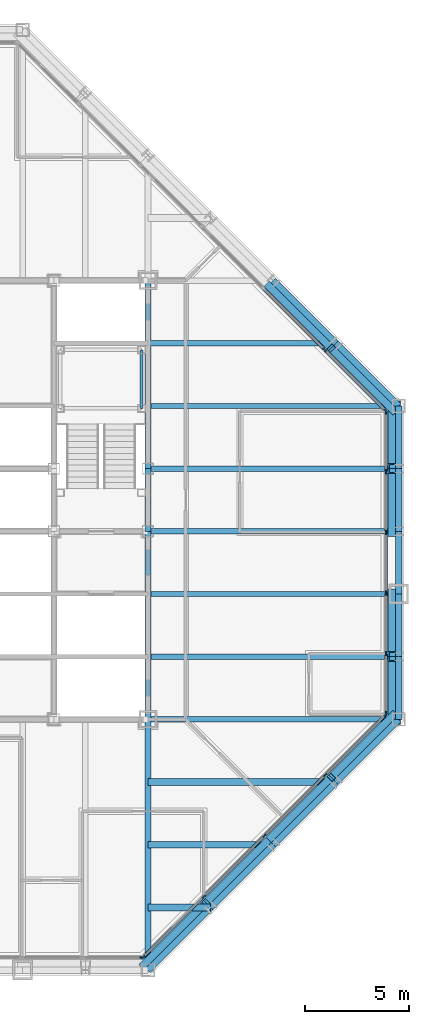
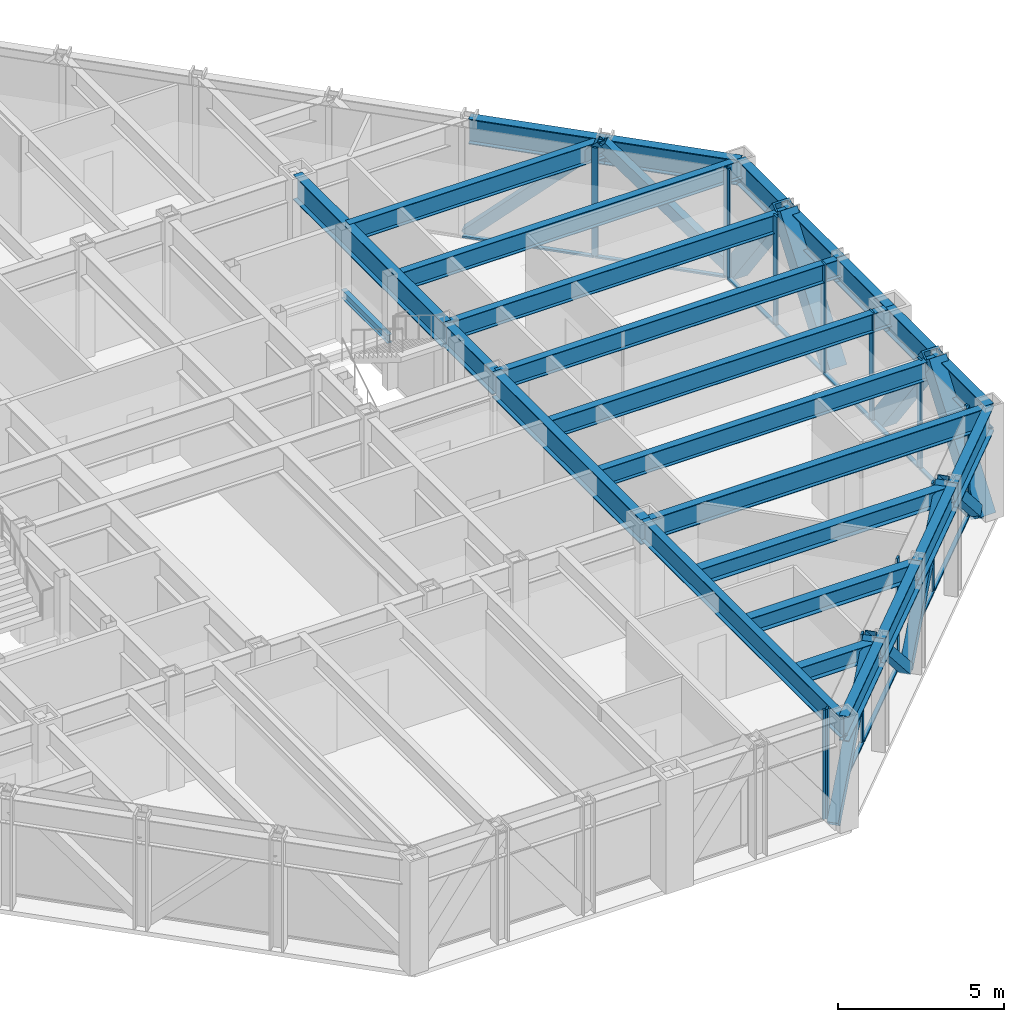
# One storey, part 7 of 16: 35 members, 26 beams, 4 elements without a shape of their own.
"""IFC4 building model written with IfcOpenShell, lengths in metres."""

from ifc_helpers import new_model, si_unit, direction, frame, origin, origin_2d, place, context, subcontext, project, spatial, rectangle, hollow_rectangle, i_section, extrude, material, layer, layer_set, material_profile, profile_set, type_object, element, aggregate, save


model = new_model("IFC4")

# Units and contexts
model_context = context("Model", 3, precision=1e-05, world=origin(), true_north=direction((0.0, 1.0)))
body_context = subcontext(model_context, "Body", "Model", "MODEL_VIEW")
ifc_project = project(units=[si_unit("LENGTHUNIT", "METRE"), si_unit("AREAUNIT", "SQUARE_METRE"), si_unit("VOLUMEUNIT", "CUBIC_METRE"), si_unit("PLANEANGLEUNIT", "RADIAN"), si_unit("MASSUNIT", "GRAM", prefix="KILO")], contexts=[model_context])

# Site, building, storey
site_placement = place(None, origin())
site = spatial("IfcSite", under=ifc_project, at=site_placement, CompositionType="ELEMENT")
building_placement = place(site_placement, origin())
building = spatial("IfcBuilding", under=site, at=building_placement, Name="Chuquiago Exchange Tower", CompositionType="ELEMENT")
storey_placement = place(building_placement, frame((0.0, 0.0, 230.699951171875)))
storey = spatial("IfcBuildingStorey", under=building, at=storey_placement, Name="L51", CompositionType="ELEMENT", Elevation=230.699951171875)

# Beams
ifc_material_1 = material(Name="Steel ASTM A992", Category="steel")
ifc_material_profile_1 = material_profile(ifc_material_1, i_section(OverallWidth=0.25390625, OverallDepth=0.683349609375, WebThickness=0.012451171875, FlangeThickness=0.018798828125, at=origin_2d()), Name="W27X94")
ifc_profile_set_1 = profile_set([ifc_material_profile_1], Name="Steel ASTM A992")
beam_type_1 = type_object("IfcBeamType", Name="B1 W27X94", PredefinedType="BEAM", material=ifc_profile_set_1)
for number, where, z_axis, x_axis, name in (
    (1, (33.0, 15.0, 3.698486328125), (1.0, 0.0, 0.0), (0.0, 1.0, 0.0), "FB-L52-infill-33_15-45_15-0"),
    (2, (33.0, 18.0, 3.698486328125), (1.0, 0.0, 0.0), (0.0, 1.0, 0.0), "FB-L52-infill-33_18-45_18-0"),
    (3, (33.0, 21.0, 3.698486328125), (1.0, 0.0, 0.0), (0.0, 1.0, 0.0), "FB-L52-infill-33_21-45_21-0"),
    (4, (33.0, 24.0, 3.698486328125), (1.0, 0.0, 0.0), (0.0, 1.0, 0.0), "FB-L52-infill-33_24-45_24-0"),
    (5, (33.0, 27.0, 3.698486328125), (1.0, 0.0, 0.0), (0.0, 1.0, 0.0), "FB-L52-infill-33_27-45_27-0"),
):
    element("IfcBeam", number, at=place(storey_placement, frame(where, z_axis=z_axis, x_axis=x_axis)), inside=storey, type_object=beam_type_1, Name=name, PredefinedType="BEAM", context=body_context, shape_type="SweptSolid", body=[
        extrude(i_section(OverallWidth=0.25390625, OverallDepth=0.683349609375, WebThickness=0.012451171875, FlangeThickness=0.018798828125, at=origin_2d()), origin(), (0.0, 0.0, 1.0), 12.0),
    ])
beam_1_placement = place(storey_placement, frame((33.0, 30.0, 3.698486328125), z_axis=(1.0, 0.0, 0.0), x_axis=(0.0, 1.0, 0.0)))
element("IfcBeam", 6, at=beam_1_placement, inside=storey, type_object=beam_type_1, Name="FB-L52-infill-33_30-42_30-0", PredefinedType="BEAM", context=body_context, shape_type="SweptSolid", body=[
    extrude(i_section(OverallWidth=0.25390625, OverallDepth=0.683349609375, WebThickness=0.012451171875, FlangeThickness=0.018798828125, at=origin_2d()), origin(), (0.0, 0.0, 1.0), 9.0),
])
ifc_material_2 = material(Name="Steel ASTM A992", Category="steel")
ifc_material_profile_2 = material_profile(ifc_material_2, i_section(OverallWidth=0.307373046875, OverallDepth=0.927001953125, WebThickness=0.01953125, FlangeThickness=0.031982421875, at=origin_2d()), Name="W36X194")
ifc_profile_set_2 = profile_set([ifc_material_profile_2], Name="Steel ASTM A992")
beam_type_2 = type_object("IfcBeamType", Name="B10 W36X194", PredefinedType="BEAM", material=ifc_profile_set_2)
for number, where, z_axis, x_axis, name in (
    (7, (33.0, 12.0, 3.57666015625), (0.0, 1.0, 0.0), (-1.0, 0.0, 0.0), "CB-L52-33_12-33_21"),
    (8, (33.0, 24.0, 3.57666015625), (0.0, 1.0, 0.0), (-1.0, 0.0, 0.0), "CB-L52-33_24-33_33"),
):
    element("IfcBeam", number, at=place(storey_placement, frame(where, z_axis=z_axis, x_axis=x_axis)), inside=storey, type_object=beam_type_2, Name=name, PredefinedType="BEAM", context=body_context, shape_type="SweptSolid", body=[
        extrude(i_section(OverallWidth=0.307373046875, OverallDepth=0.927001953125, WebThickness=0.01953125, FlangeThickness=0.031982421875, at=origin_2d()), origin(), (0.0, 0.0, 1.0), 9.0),
    ])
ifc_material_3 = material(Name="Steel ASTM A992", Category="steel")
ifc_material_profile_3 = material_profile(ifc_material_3, i_section(OverallWidth=0.3251953125, OverallDepth=0.612060546875, WebThickness=0.0126953125, FlangeThickness=0.01904296875, at=origin_2d()), Name="W24X104")
ifc_profile_set_3 = profile_set([ifc_material_profile_3], Name="Steel ASTM A992")
beam_type_3 = type_object("IfcBeamType", Name="B2 W24X104", PredefinedType="BEAM", material=ifc_profile_set_3)
beam_2_placement = place(storey_placement, frame((33.0, 3.0, 3.73388671875), z_axis=(1.0, 0.0, 0.0), x_axis=(0.0, 1.0, 0.0)))
element("IfcBeam", 9, at=beam_2_placement, inside=storey, type_object=beam_type_3, Name="FB-L52-corner-33_3-36_3-0", PredefinedType="BEAM", context=body_context, shape_type="SweptSolid", body=[
    extrude(i_section(OverallWidth=0.3251953125, OverallDepth=0.612060546875, WebThickness=0.0126953125, FlangeThickness=0.01904296875, at=origin_2d()), origin(), (0.0, 0.0, 1.0), 3.0),
])
beam_3_placement = place(storey_placement, frame((33.0, 6.0, 3.73388671875), z_axis=(1.0, 0.0, 0.0), x_axis=(0.0, 1.0, 0.0)))
element("IfcBeam", 10, at=beam_3_placement, inside=storey, type_object=beam_type_3, Name="FB-L52-corner-33_6-39_6-0", PredefinedType="BEAM", context=body_context, shape_type="SweptSolid", body=[
    extrude(i_section(OverallWidth=0.3251953125, OverallDepth=0.612060546875, WebThickness=0.0126953125, FlangeThickness=0.01904296875, at=origin_2d()), origin(), (0.0, 0.0, 1.0), 6.0),
])
beam_4_placement = place(storey_placement, frame((33.0, 9.0, 3.73388671875), z_axis=(1.0, 0.0, 0.0), x_axis=(0.0, 1.0, 0.0)))
element("IfcBeam", 11, at=beam_4_placement, inside=storey, type_object=beam_type_3, Name="FB-L52-corner-33_9-42_9-0", PredefinedType="BEAM", context=body_context, shape_type="SweptSolid", body=[
    extrude(i_section(OverallWidth=0.3251953125, OverallDepth=0.612060546875, WebThickness=0.0126953125, FlangeThickness=0.01904296875, at=origin_2d()), origin(), (0.0, 0.0, 1.0), 9.0),
])
ifc_material_4 = material(Name="Steel ASTM A992", Category="steel")
ifc_material_profile_4 = material_profile(ifc_material_4, i_section(OverallWidth=0.2919921875, OverallDepth=0.8583984375, WebThickness=0.01708984375, FlangeThickness=0.031005859375, at=origin_2d()), Name="W33X169")
ifc_profile_set_4 = profile_set([ifc_material_profile_4], Name="Steel ASTM A992")
beam_type_4 = type_object("IfcBeamType", Name="B3 W33X169", PredefinedType="BEAM", material=ifc_profile_set_4)
beam_5_placement = place(storey_placement, frame((33.0, 21.0, 3.61083984375), z_axis=(0.0, 1.0, 0.0), x_axis=(-1.0, 0.0, 0.0)))
element("IfcBeam", 12, at=beam_5_placement, inside=storey, type_object=beam_type_4, Name="CB-L52-33_21-33_24", PredefinedType="BEAM", context=body_context, shape_type="SweptSolid", body=[
    extrude(i_section(OverallWidth=0.2919921875, OverallDepth=0.8583984375, WebThickness=0.01708984375, FlangeThickness=0.031005859375, at=origin_2d()), origin(), (0.0, 0.0, 1.0), 3.0),
])

# Curtain wall, member
ifc_material_5 = material(Name="Aluminium curtain wall system", Category="aluminium")
ifc_layer_1 = layer(ifc_material_5, 0.22509765625)
ifc_layer_set_1 = layer_set([ifc_layer_1], Name="CW2 office curtain wall")
curtain_wall_type_1 = type_object("IfcCurtainWallType", Name="CW2 office curtain wall", PredefinedType="NOTDEFINED", material=ifc_layer_set_1)
curtain_wall_1_placement = place(storey_placement, origin())
curtain_wall_1 = element("IfcCurtainWall", 13, at=curtain_wall_1_placement, inside=storey, type_object=curtain_wall_type_1, Name="CW2 curtain wall L51", PredefinedType="NOTDEFINED")
ifc_material_6 = material(Name="Aluminium mullion, pale anodised", Category="aluminium")
ifc_material_profile_5 = material_profile(ifc_material_6, rectangle(XDim=0.06494140625, YDim=0.22509765625, at=origin_2d()), Name="AL 65x225")
ifc_profile_set_5 = profile_set([ifc_material_profile_5], Name="Aluminium mullion, pale anodised")
member_type_1 = type_object("IfcMemberType", Name="CW2-M mullion 65x225", PredefinedType="MULLION", material=ifc_profile_set_5)
member_1_placement = place(storey_placement, frame((32.718994140625, 0.60009765625, 0.0), z_axis=(0.0, 0.0, 1.0), x_axis=(0.0, 1.0, 0.0)))
member_1 = element("IfcMember", 14, at=member_1_placement, type_object=member_type_1, Name="CW2 mullion 6", PredefinedType="MULLION", context=body_context, shape_type="SweptSolid", body=[
    extrude(rectangle(XDim=0.06494140625, YDim=0.22509765625, at=origin_2d()), origin(), (0.0, 0.0, 1.0), 4.0400390625),
])
aggregate(curtain_wall_1, [member_1])

# Curtain wall, members
curtain_wall_2_placement = place(storey_placement, origin())
curtain_wall_2 = element("IfcCurtainWall", 15, at=curtain_wall_2_placement, inside=storey, type_object=curtain_wall_type_1, Name="CW2 curtain wall L51", PredefinedType="NOTDEFINED")
member_2_placement = place(storey_placement, frame((44.39990234375, 12.281005859375, 0.0), z_axis=(0.0, 0.0, 1.0), x_axis=(-1.0, 0.0, 0.0)))
member_2 = element("IfcMember", 16, at=member_2_placement, type_object=member_type_1, Name="CW2 mullion 1", PredefinedType="MULLION", context=body_context, shape_type="SweptSolid", body=[
    extrude(rectangle(XDim=0.06494140625, YDim=0.22509765625, at=origin_2d()), origin(), (0.0, 0.0, 1.0), 4.0400390625),
])
member_3_placement = place(storey_placement, frame((44.39990234375, 15.149169921875, 0.0), z_axis=(0.0, 0.0, 1.0), x_axis=(-1.0, 0.0, 0.0)))
member_3 = element("IfcMember", 17, at=member_3_placement, type_object=member_type_1, Name="CW2 mullion 2", PredefinedType="MULLION", context=body_context, shape_type="SweptSolid", body=[
    extrude(rectangle(XDim=0.06494140625, YDim=0.22509765625, at=origin_2d()), origin(), (0.0, 0.0, 1.0), 4.0400390625),
])
member_4_placement = place(storey_placement, frame((44.39990234375, 18.0498046875, 0.0), z_axis=(0.0, 0.0, 1.0), x_axis=(-1.0, 0.0, 0.0)))
member_4 = element("IfcMember", 18, at=member_4_placement, type_object=member_type_1, Name="CW2 mullion 3", PredefinedType="MULLION", context=body_context, shape_type="SweptSolid", body=[
    extrude(rectangle(XDim=0.06494140625, YDim=0.22509765625, at=origin_2d()), origin(), (0.0, 0.0, 1.0), 4.0400390625),
])
member_5_placement = place(storey_placement, frame((44.39990234375, 20.9501953125, 0.0), z_axis=(0.0, 0.0, 1.0), x_axis=(-1.0, 0.0, 0.0)))
member_5 = element("IfcMember", 19, at=member_5_placement, type_object=member_type_1, Name="CW2 mullion 4", PredefinedType="MULLION", context=body_context, shape_type="SweptSolid", body=[
    extrude(rectangle(XDim=0.06494140625, YDim=0.22509765625, at=origin_2d()), origin(), (0.0, 0.0, 1.0), 4.0400390625),
])
member_6_placement = place(storey_placement, frame((44.39990234375, 23.850830078125, 0.0), z_axis=(0.0, 0.0, 1.0), x_axis=(-1.0, 0.0, 0.0)))
member_6 = element("IfcMember", 20, at=member_6_placement, type_object=member_type_1, Name="CW2 mullion 5", PredefinedType="MULLION", context=body_context, shape_type="SweptSolid", body=[
    extrude(rectangle(XDim=0.06494140625, YDim=0.22509765625, at=origin_2d()), origin(), (0.0, 0.0, 1.0), 4.0400390625),
])
member_7_placement = place(storey_placement, frame((44.39990234375, 26.718994140625, 0.0), z_axis=(0.0, 0.0, 1.0), x_axis=(-1.0, 0.0, 0.0)))
member_7 = element("IfcMember", 21, at=member_7_placement, type_object=member_type_1, Name="CW2 mullion 6", PredefinedType="MULLION", context=body_context, shape_type="SweptSolid", body=[
    extrude(rectangle(XDim=0.06494140625, YDim=0.22509765625, at=origin_2d()), origin(), (0.0, 0.0, 1.0), 4.0400390625),
])
ifc_material_7 = material(Name="Aluminium transom, pale anodised", Category="aluminium")
ifc_material_profile_6 = material_profile(ifc_material_7, rectangle(XDim=0.139892578125, YDim=0.06494140625, at=origin_2d()), Name="AL 140x65")
ifc_profile_set_6 = profile_set([ifc_material_profile_6], Name="Aluminium transom, pale anodised")
member_type_2 = type_object("IfcMemberType", Name="CW2-T transom 65x140", PredefinedType="MULLION", material=ifc_profile_set_6)
member_8_placement = place(storey_placement, frame((44.39990234375, 12.3134765625, 0.032470703125), z_axis=(0.0, 1.0, 0.0), x_axis=(-1.0, 0.0, 0.0)))
member_8 = element("IfcMember", 22, at=member_8_placement, type_object=member_type_2, Name="CW2 transom 1.1", PredefinedType="MULLION", context=body_context, shape_type="SweptSolid", body=[
    extrude(rectangle(XDim=0.139892578125, YDim=0.06494140625, at=origin_2d()), origin(), (0.0, 0.0, 1.0), 2.80322265625),
])
member_9_placement = place(storey_placement, frame((44.39990234375, 15.181640625, 0.032470703125), z_axis=(0.0, 1.0, 0.0), x_axis=(-1.0, 0.0, 0.0)))
member_9 = element("IfcMember", 23, at=member_9_placement, type_object=member_type_2, Name="CW2 transom 2.1", PredefinedType="MULLION", context=body_context, shape_type="SweptSolid", body=[
    extrude(rectangle(XDim=0.139892578125, YDim=0.06494140625, at=origin_2d()), origin(), (0.0, 0.0, 1.0), 2.83544921875),
])
member_10_placement = place(storey_placement, frame((44.39990234375, 18.082275390625, 0.032470703125), z_axis=(0.0, 1.0, 0.0), x_axis=(-1.0, 0.0, 0.0)))
member_10 = element("IfcMember", 24, at=member_10_placement, type_object=member_type_2, Name="CW2 transom 3.1", PredefinedType="MULLION", context=body_context, shape_type="SweptSolid", body=[
    extrude(rectangle(XDim=0.139892578125, YDim=0.06494140625, at=origin_2d()), origin(), (0.0, 0.0, 1.0), 2.83544921875),
])
member_11_placement = place(storey_placement, frame((44.39990234375, 20.98291015625, 0.032470703125), z_axis=(0.0, 1.0, 0.0), x_axis=(-1.0, 0.0, 0.0)))
member_11 = element("IfcMember", 25, at=member_11_placement, type_object=member_type_2, Name="CW2 transom 4.1", PredefinedType="MULLION", context=body_context, shape_type="SweptSolid", body=[
    extrude(rectangle(XDim=0.139892578125, YDim=0.06494140625, at=origin_2d()), origin(), (0.0, 0.0, 1.0), 2.83544921875),
])
member_12_placement = place(storey_placement, frame((44.39990234375, 23.88330078125, 0.032470703125), z_axis=(0.0, 1.0, 0.0), x_axis=(-1.0, 0.0, 0.0)))
member_12 = element("IfcMember", 26, at=member_12_placement, type_object=member_type_2, Name="CW2 transom 5.1", PredefinedType="MULLION", context=body_context, shape_type="SweptSolid", body=[
    extrude(rectangle(XDim=0.139892578125, YDim=0.06494140625, at=origin_2d()), origin(), (0.0, 0.0, 1.0), 2.80322265625),
])
aggregate(curtain_wall_2, [member_2, member_3, member_4, member_5, member_6, member_7, member_8, member_9, member_10, member_11, member_12])

ifc_material_8 = material(Name="Aluminium curtain wall system", Category="aluminium")
ifc_layer_2 = layer(ifc_material_8, 0.199951171875)
ifc_layer_set_2 = layer_set([ifc_layer_2], Name="CW3 facet curtain wall")
curtain_wall_type_2 = type_object("IfcCurtainWallType", Name="CW3 facet curtain wall", PredefinedType="NOTDEFINED", material=ifc_layer_set_2)
curtain_wall_3_placement = place(storey_placement, origin())
curtain_wall_3 = element("IfcCurtainWall", 27, at=curtain_wall_3_placement, inside=storey, type_object=curtain_wall_type_2, Name="CW3 curtain wall L51", PredefinedType="NOTDEFINED")
ifc_material_9 = material(Name="Aluminium mullion, pale anodised", Category="aluminium")
ifc_material_profile_7 = material_profile(ifc_material_9, rectangle(XDim=0.06494140625, YDim=0.199951171875, at=origin_2d()), Name="AL 65x200")
ifc_profile_set_7 = profile_set([ifc_material_profile_7], Name="Aluminium mullion, pale anodised")
member_type_3 = type_object("IfcMemberType", Name="CW3-M mullion 65x200", PredefinedType="MULLION", material=ifc_profile_set_7)
member_13_placement = place(storey_placement, frame((32.7744140625, 0.623046875, 0.0), z_axis=(0.0, 0.0, 1.0), x_axis=(-0.707106781187, 0.707106781187, 0.0)))
member_13 = element("IfcMember", 28, at=member_13_placement, type_object=member_type_3, Name="CW3 mullion 1", PredefinedType="MULLION", context=body_context, shape_type="SweptSolid", body=[
    extrude(rectangle(XDim=0.06494140625, YDim=0.199951171875, at=origin_2d()), origin(), (0.0, 0.0, 1.0), 4.0400390625),
])
member_14_placement = place(storey_placement, frame((35.66357421875, 3.51220703125, 0.0), z_axis=(0.0, 0.0, 1.0), x_axis=(-0.707106781187, 0.707106781187, 0.0)))
member_14 = element("IfcMember", 29, at=member_14_placement, type_object=member_type_3, Name="CW3 mullion 2", PredefinedType="MULLION", context=body_context, shape_type="SweptSolid", body=[
    extrude(rectangle(XDim=0.06494140625, YDim=0.199951171875, at=origin_2d()), origin(), (0.0, 0.0, 1.0), 4.0400390625),
])
member_15_placement = place(storey_placement, frame((38.57568359375, 6.42431640625, 0.0), z_axis=(0.0, 0.0, 1.0), x_axis=(-0.707106781187, 0.707106781187, 0.0)))
member_15 = element("IfcMember", 30, at=member_15_placement, type_object=member_type_3, Name="CW3 mullion 3", PredefinedType="MULLION", context=body_context, shape_type="SweptSolid", body=[
    extrude(rectangle(XDim=0.06494140625, YDim=0.199951171875, at=origin_2d()), origin(), (0.0, 0.0, 1.0), 4.0400390625),
])
member_16_placement = place(storey_placement, frame((41.48779296875, 9.33642578125, 0.0), z_axis=(0.0, 0.0, 1.0), x_axis=(-0.707106781187, 0.707106781187, 0.0)))
member_16 = element("IfcMember", 31, at=member_16_placement, type_object=member_type_3, Name="CW3 mullion 4", PredefinedType="MULLION", context=body_context, shape_type="SweptSolid", body=[
    extrude(rectangle(XDim=0.06494140625, YDim=0.199951171875, at=origin_2d()), origin(), (0.0, 0.0, 1.0), 4.0400390625),
])
member_17_placement = place(storey_placement, frame((44.376953125, 12.2255859375, 0.0), z_axis=(0.0, 0.0, 1.0), x_axis=(-0.707106781187, 0.707106781187, 0.0)))
member_17 = element("IfcMember", 32, at=member_17_placement, type_object=member_type_3, Name="CW3 mullion 5", PredefinedType="MULLION", context=body_context, shape_type="SweptSolid", body=[
    extrude(rectangle(XDim=0.06494140625, YDim=0.199951171875, at=origin_2d()), origin(), (0.0, 0.0, 1.0), 4.0400390625),
])

curtain_wall_4_placement = place(storey_placement, origin())
curtain_wall_4 = element("IfcCurtainWall", 33, at=curtain_wall_4_placement, inside=storey, type_object=curtain_wall_type_2, Name="CW3 curtain wall L51", PredefinedType="NOTDEFINED")
member_18_placement = place(storey_placement, frame((44.376953125, 26.7744140625, 0.0), z_axis=(0.0, 0.0, 1.0), x_axis=(-0.707106781187, -0.707106781187, 0.0)))
member_18 = element("IfcMember", 34, at=member_18_placement, type_object=member_type_3, Name="CW3 mullion 1", PredefinedType="MULLION", context=body_context, shape_type="SweptSolid", body=[
    extrude(rectangle(XDim=0.06494140625, YDim=0.199951171875, at=origin_2d()), origin(), (0.0, 0.0, 1.0), 4.0400390625),
])
member_19_placement = place(storey_placement, frame((41.45849609375, 29.69287109375, 0.0), z_axis=(0.0, 0.0, 1.0), x_axis=(-0.707106781187, -0.707106781187, 0.0)))
member_19 = element("IfcMember", 35, at=member_19_placement, type_object=member_type_3, Name="CW3 mullion 2", PredefinedType="MULLION", context=body_context, shape_type="SweptSolid", body=[
    extrude(rectangle(XDim=0.06494140625, YDim=0.199951171875, at=origin_2d()), origin(), (0.0, 0.0, 1.0), 4.0400390625),
])

# Member
ifc_material_10 = material(Name="Aluminium transom, pale anodised", Category="aluminium")
ifc_material_profile_8 = material_profile(ifc_material_10, rectangle(XDim=0.139892578125, YDim=0.06494140625, at=origin_2d()), Name="AL 140x65")
ifc_profile_set_8 = profile_set([ifc_material_profile_8], Name="Aluminium transom, pale anodised")
member_type_4 = type_object("IfcMemberType", Name="CW3-T transom 65x140", PredefinedType="MULLION", material=ifc_profile_set_8)
member_20_placement = place(storey_placement, frame((32.79736328125, 0.64599609375, 0.032470703125), z_axis=(0.707106781187, 0.707106781187, 0.0), x_axis=(-0.707106781187, 0.707106781187, 0.0)))
member_20 = element("IfcMember", 36, at=member_20_placement, type_object=member_type_4, Name="CW3 transom 1.1", PredefinedType="MULLION", context=body_context, shape_type="SweptSolid", body=[
    extrude(rectangle(XDim=0.139892578125, YDim=0.06494140625, at=origin_2d()), origin(), (0.0, 0.0, 1.0), 4.02099609375),
])

member_21_placement = place(storey_placement, frame((35.6865234375, 3.53515625, 0.032470703125), z_axis=(0.707106781187, 0.707106781187, 0.0), x_axis=(-0.707106781187, 0.707106781187, 0.0)))
member_21 = element("IfcMember", 37, at=member_21_placement, type_object=member_type_4, Name="CW3 transom 2.1", PredefinedType="MULLION", context=body_context, shape_type="SweptSolid", body=[
    extrude(rectangle(XDim=0.139892578125, YDim=0.06494140625, at=origin_2d()), origin(), (0.0, 0.0, 1.0), 4.053466796875),
])

member_22_placement = place(storey_placement, frame((38.5986328125, 6.447265625, 0.032470703125), z_axis=(0.707106781187, 0.707106781187, 0.0), x_axis=(-0.707106781187, 0.707106781187, 0.0)))
member_22 = element("IfcMember", 38, at=member_22_placement, type_object=member_type_4, Name="CW3 transom 3.1", PredefinedType="MULLION", context=body_context, shape_type="SweptSolid", body=[
    extrude(rectangle(XDim=0.139892578125, YDim=0.06494140625, at=origin_2d()), origin(), (0.0, 0.0, 1.0), 4.053466796875),
])

member_23_placement = place(storey_placement, frame((41.5107421875, 9.359375, 0.032470703125), z_axis=(0.707106781187, 0.707106781187, 0.0), x_axis=(-0.707106781187, 0.707106781187, 0.0)))
member_23 = element("IfcMember", 39, at=member_23_placement, type_object=member_type_4, Name="CW3 transom 4.1", PredefinedType="MULLION", context=body_context, shape_type="SweptSolid", body=[
    extrude(rectangle(XDim=0.139892578125, YDim=0.06494140625, at=origin_2d()), origin(), (0.0, 0.0, 1.0), 4.02099609375),
])

aggregate(curtain_wall_3, [member_13, member_14, member_15, member_16, member_17, member_20, member_21, member_22, member_23])

member_24_placement = place(storey_placement, frame((44.35400390625, 26.79736328125, 0.032470703125), z_axis=(-0.707106781187, 0.707106781187, 0.0), x_axis=(-0.707106781187, -0.707106781187, 0.0)))
member_24 = element("IfcMember", 40, at=member_24_placement, type_object=member_type_4, Name="CW3 transom 1.1", PredefinedType="MULLION", context=body_context, shape_type="SweptSolid", body=[
    extrude(rectangle(XDim=0.139892578125, YDim=0.06494140625, at=origin_2d()), origin(), (0.0, 0.0, 1.0), 4.0625),
])

member_25_placement = place(storey_placement, frame((41.435546875, 29.7158203125, 0.032470703125), z_axis=(-0.707106781187, 0.707106781187, 0.0), x_axis=(-0.707106781187, -0.707106781187, 0.0)))
member_25 = element("IfcMember", 41, at=member_25_placement, type_object=member_type_4, Name="CW3 transom 2.1", PredefinedType="MULLION", context=body_context, shape_type="SweptSolid", body=[
    extrude(rectangle(XDim=0.139892578125, YDim=0.06494140625, at=origin_2d()), origin(), (0.0, 0.0, 1.0), 4.094970703125),
])

aggregate(curtain_wall_4, [member_18, member_19, member_24, member_25])

# Beams
ifc_material_11 = material(Name="Steel ASTM A992", Category="steel")
ifc_material_profile_9 = material_profile(ifc_material_11, i_section(OverallWidth=0.2666015625, OverallDepth=0.76953125, WebThickness=0.015625, FlangeThickness=0.025390625, at=origin_2d()), Name="W30X132")
ifc_profile_set_9 = profile_set([ifc_material_profile_9], Name="Steel ASTM A992")
beam_type_5 = type_object("IfcBeamType", Name="G1 W30X132", PredefinedType="BEAM", material=ifc_profile_set_9)
for number, where, z_axis, x_axis, name in (
    (42, (33.0, 12.0, 3.6552734375), (0.0, -1.0, 0.0), (1.0, 0.0, 0.0), "FB-L52-girder-33_12-33_-0-0"),
    (43, (33.0, 12.0, 3.6552734375), (1.0, 0.0, 0.0), (0.0, 1.0, 0.0), "FB-L52-girder-33_12-45_12-0"),
):
    element("IfcBeam", number, at=place(storey_placement, frame(where, z_axis=z_axis, x_axis=x_axis)), inside=storey, type_object=beam_type_5, Name=name, PredefinedType="BEAM", context=body_context, shape_type="SweptSolid", body=[
        extrude(i_section(OverallWidth=0.2666015625, OverallDepth=0.76953125, WebThickness=0.015625, FlangeThickness=0.025390625, at=origin_2d()), origin(), (0.0, 0.0, 1.0), 12.0),
    ])

# Members
ifc_material_12 = material(Name="Steel ASTM A500 Grade C", Category="steel")
ifc_material_profile_10 = material_profile(ifc_material_12, hollow_rectangle(XDim=0.355712890625, YDim=0.355712890625, WallThickness=0.0146484375, at=origin_2d()), Name="HSS14X14X5/8")
ifc_profile_set_10 = profile_set([ifc_material_profile_10], Name="Steel ASTM A500 Grade C")
member_type_5 = type_object("IfcMemberType", Name="LB2 HSS14X14X5/8", PredefinedType="BRACE", material=ifc_profile_set_10)
for number, where, z_axis, x_axis, name in (
    (44, (32.7685546875, 0.2314453125, 0.0), (0.512077265487, 0.512077265487, 0.689604051861), (-0.707106781187, 0.707106781187, 0.0), "LB-L51-33_0-36_3"),
    (45, (38.7685546875, 6.2314453125, 0.0), (-0.512077265487, -0.512077265487, 0.689604051861), (0.707106781187, -0.707106781187, 0.0), "LB-L51-36_3-39_6"),
    (46, (38.7685546875, 6.2314453125, 0.0), (0.512077265487, 0.512077265487, 0.689604051861), (-0.707106781187, 0.707106781187, 0.0), "LB-L51-39_6-42_9"),
    (47, (44.7685546875, 12.2314453125, 0.0), (-0.512077265487, -0.512077265487, 0.689604051861), (0.707106781187, -0.707106781187, 0.0), "LB-L51-42_9-45_12"),
    (48, (44.7685546875, 26.7685546875, 0.0), (-0.512077265487, 0.512077265487, 0.689604051861), (-0.707106781187, -0.707106781187, 0.0), "LB-L51-45_27-42_30"),
    (49, (38.7685546875, 32.7685546875, 0.0), (0.512077265487, -0.512077265487, 0.689604051861), (0.707106781187, 0.707106781187, 0.0), "LB-L51-42_30-39_33"),
):
    element("IfcMember", number, at=place(storey_placement, frame(where, z_axis=z_axis, x_axis=x_axis)), inside=storey, type_object=member_type_5, Name=name, PredefinedType="BRACE", context=body_context, shape_type="SweptSolid", body=[
        extrude(hollow_rectangle(XDim=0.355712890625, YDim=0.355712890625, WallThickness=0.0146484375, at=origin_2d()), origin(), (0.0, 0.0, 1.0), 5.8583984375),
    ])

# Beam
ifc_material_13 = material(Name="Steel ASTM A992", Category="steel")
ifc_material_profile_11 = material_profile(ifc_material_13, i_section(OverallWidth=0.164794921875, OverallDepth=0.309814453125, WebThickness=0.005859375, FlangeThickness=0.009765625, at=origin_2d()), Name="W12X26")
ifc_profile_set_11 = profile_set([ifc_material_profile_11], Name="Steel ASTM A992")
beam_type_6 = type_object("IfcBeamType", Name="LS1 W12X26", PredefinedType="BEAM", material=ifc_profile_set_11)
beam_6_placement = place(storey_placement, frame((32.68994140625, 26.889892578125, 1.7451171875), z_axis=(0.0, 1.0, 0.0), x_axis=(-1.0, 0.0, 0.0)))
element("IfcBeam", 50, at=beam_6_placement, inside=storey, type_object=beam_type_6, Name="Stair ST2 L51 landing 1 stringer", PredefinedType="BEAM", context=body_context, shape_type="SweptSolid", body=[
    extrude(i_section(OverallWidth=0.164794921875, OverallDepth=0.309814453125, WebThickness=0.005859375, FlangeThickness=0.009765625, at=origin_2d()), origin(), (0.0, 0.0, 1.0), 2.800048828125),
])

# Members
ifc_material_14 = material(Name="Steel ASTM A572 Grade 50", Category="steel")
ifc_material_profile_12 = material_profile(ifc_material_14, hollow_rectangle(XDim=0.60009765625, YDim=0.60009765625, WallThickness=0.06005859375, at=origin_2d()), Name="BOX600X600X60")
ifc_profile_set_12 = profile_set([ifc_material_profile_12], Name="Steel ASTM A572 Grade 50")
member_type_6 = type_object("IfcMemberType", Name="MB3 BOX600X600X60", PredefinedType="BRACE", material=ifc_profile_set_12)
for number, where, z_axis, x_axis, name in (
    (51, (44.794921875, 12.0, 0.0), (0.0, 0.596173923302, 0.802855312728), (-1.0, 0.0, 0.0), "Mega diagonal L51 E face"),
    (52, (44.794921875, 18.0, 0.0), (0.0, -0.596173923302, 0.802855312728), (1.0, 0.0, 0.0), "Mega diagonal L51 E face"),
    (53, (44.794921875, 21.0, 0.0), (0.0, 0.596173923302, 0.802855312728), (-1.0, 0.0, 0.0), "Mega diagonal L51 E face"),
    (54, (44.794921875, 27.0, 0.0), (0.0, -0.596173923302, 0.802855312728), (1.0, 0.0, 0.0), "Mega diagonal L51 E face"),
):
    element("IfcMember", number, at=place(storey_placement, frame(where, z_axis=z_axis, x_axis=x_axis)), inside=storey, type_object=member_type_6, Name=name, PredefinedType="BRACE", context=body_context, shape_type="SweptSolid", body=[
        extrude(hollow_rectangle(XDim=0.60009765625, YDim=0.60009765625, WallThickness=0.06005859375, at=origin_2d()), origin(), (0.0, 0.0, 1.0), 5.031982421875),
    ])

# Beams
ifc_material_15 = material(Name="Steel ASTM A992", Category="steel")
ifc_material_profile_13 = material_profile(ifc_material_15, i_section(OverallWidth=0.307373046875, OverallDepth=0.927001953125, WebThickness=0.01953125, FlangeThickness=0.031982421875, at=origin_2d()), Name="W36X194")
ifc_profile_set_13 = profile_set([ifc_material_profile_13], Name="Steel ASTM A992")
beam_type_7 = type_object("IfcBeamType", Name="SP3 W36X194", PredefinedType="SPANDREL", material=ifc_profile_set_13)
for number, where, z_axis, x_axis, name in (
    (55, (33.0, 0.0, 3.57666015625), (0.707106781187, 0.707106781187, 0.0), (-0.707106781187, 0.707106781187, 0.0), "SPB-L52-33_0-36_3"),
    (56, (36.0, 3.0, 3.57666015625), (0.707106781187, 0.707106781187, 0.0), (-0.707106781187, 0.707106781187, 0.0), "SPB-L52-36_3-39_6"),
    (57, (39.0, 6.0, 3.57666015625), (0.707106781187, 0.707106781187, 0.0), (-0.707106781187, 0.707106781187, 0.0), "SPB-L52-39_6-42_9"),
    (58, (42.0, 9.0, 3.57666015625), (0.707106781187, 0.707106781187, 0.0), (-0.707106781187, 0.707106781187, 0.0), "SPB-L52-42_9-45_12"),
):
    element("IfcBeam", number, at=place(storey_placement, frame(where, z_axis=z_axis, x_axis=x_axis)), inside=storey, type_object=beam_type_7, Name=name, PredefinedType="SPANDREL", context=body_context, shape_type="SweptSolid", body=[
        extrude(i_section(OverallWidth=0.307373046875, OverallDepth=0.927001953125, WebThickness=0.01953125, FlangeThickness=0.031982421875, at=origin_2d()), origin(), (0.0, 0.0, 1.0), 4.24267578125),
    ])
for number, where, z_axis, x_axis, name in (
    (59, (45.0, 12.0, 3.57666015625), (0.0, 1.0, 0.0), (-1.0, 0.0, 0.0), "SPB-L52-45_12-45_15"),
    (60, (45.0, 15.0, 3.57666015625), (0.0, 1.0, 0.0), (-1.0, 0.0, 0.0), "SPB-L52-45_15-45_18"),
    (61, (45.0, 18.0, 3.57666015625), (0.0, 1.0, 0.0), (-1.0, 0.0, 0.0), "SPB-L52-45_18-45_21"),
    (62, (45.0, 21.0, 3.57666015625), (0.0, 1.0, 0.0), (-1.0, 0.0, 0.0), "SPB-L52-45_21-45_24"),
    (63, (45.0, 24.0, 3.57666015625), (0.0, 1.0, 0.0), (-1.0, 0.0, 0.0), "SPB-L52-45_24-45_27"),
):
    element("IfcBeam", number, at=place(storey_placement, frame(where, z_axis=z_axis, x_axis=x_axis)), inside=storey, type_object=beam_type_7, Name=name, PredefinedType="SPANDREL", context=body_context, shape_type="SweptSolid", body=[
        extrude(i_section(OverallWidth=0.307373046875, OverallDepth=0.927001953125, WebThickness=0.01953125, FlangeThickness=0.031982421875, at=origin_2d()), origin(), (0.0, 0.0, 1.0), 3.0),
    ])
for number, where, z_axis, x_axis, name in (
    (64, (45.0, 27.0, 3.57666015625), (-0.707106781187, 0.707106781187, 0.0), (-0.707106781187, -0.707106781187, 0.0), "SPB-L52-45_27-42_30"),
    (65, (42.0, 30.0, 3.57666015625), (-0.707106781187, 0.707106781187, 0.0), (-0.707106781187, -0.707106781187, 0.0), "SPB-L52-42_30-39_33"),
):
    element("IfcBeam", number, at=place(storey_placement, frame(where, z_axis=z_axis, x_axis=x_axis)), inside=storey, type_object=beam_type_7, Name=name, PredefinedType="SPANDREL", context=body_context, shape_type="SweptSolid", body=[
        extrude(i_section(OverallWidth=0.307373046875, OverallDepth=0.927001953125, WebThickness=0.01953125, FlangeThickness=0.031982421875, at=origin_2d()), origin(), (0.0, 0.0, 1.0), 4.24267578125),
    ])

save(model, "model.ifc")
